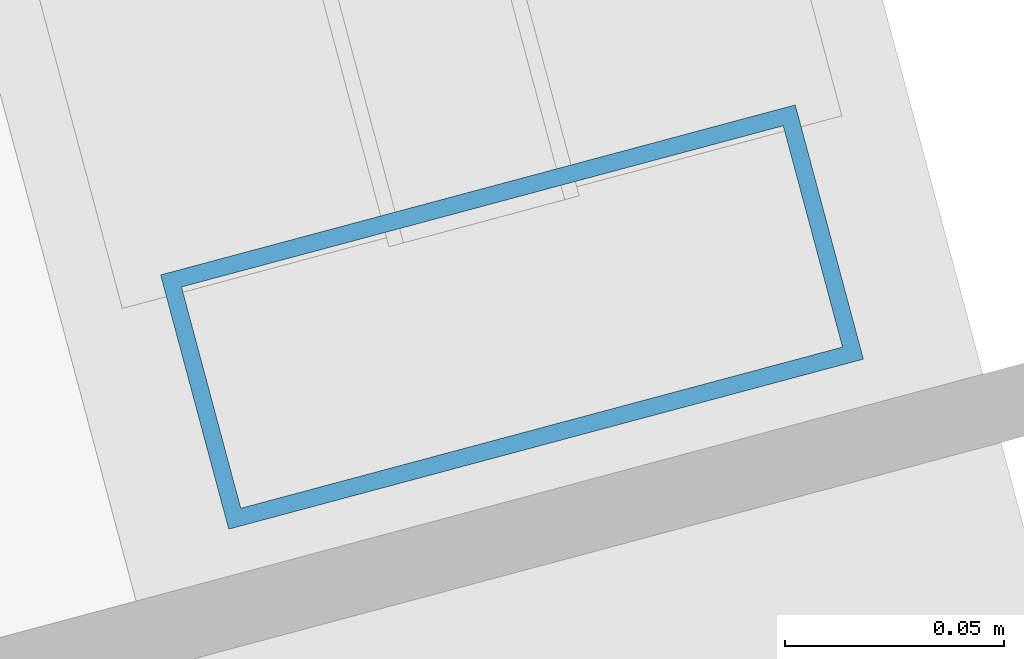
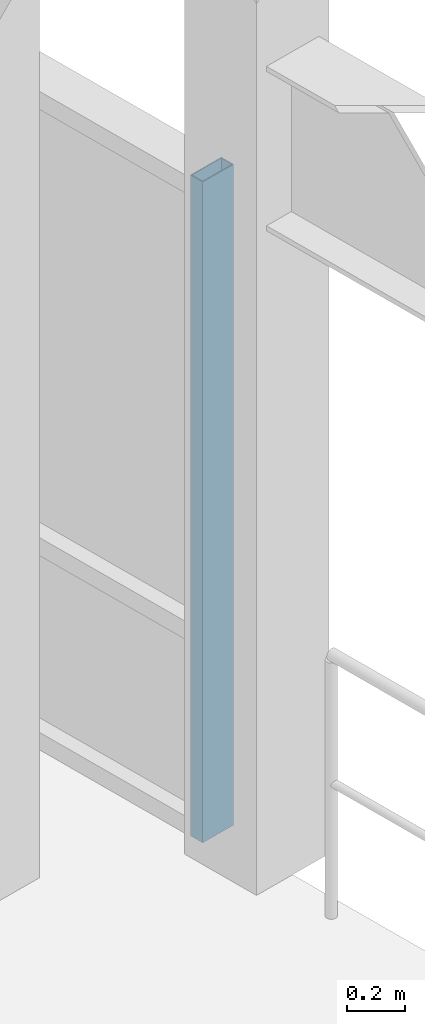
# One storey, part 47 of 99: 1 member, 1 element without a shape of its own.
"""IFC4 building model written with IfcOpenShell, lengths in metres."""

from ifc_helpers import new_model, si_unit, direction, frame, origin, origin_2d, place, context, subcontext, project, spatial, hollow_rectangle, extrude, material, layer, layer_set, material_profile, profile_set, type_object, element, aggregate, save


model = new_model("IFC4")

# Units and contexts
model_context = context("Model", 3, precision=1e-05, world=origin(), true_north=direction((0.0, 1.0)))
body_context = subcontext(model_context, "Body", "Model", "MODEL_VIEW")
ifc_project = project(units=[si_unit("LENGTHUNIT", "METRE"), si_unit("AREAUNIT", "SQUARE_METRE"), si_unit("VOLUMEUNIT", "CUBIC_METRE"), si_unit("PLANEANGLEUNIT", "RADIAN"), si_unit("MASSUNIT", "GRAM", prefix="KILO")], contexts=[model_context])

# Site, building, storey
site_placement = place(None, origin())
site = spatial("IfcSite", under=ifc_project, at=site_placement, CompositionType="ELEMENT")
building_placement = place(site_placement, origin())
building = spatial("IfcBuilding", under=site, at=building_placement, Name="Ventoquebrada Cableway Terminal", CompositionType="ELEMENT")
storey_placement = place(building_placement, frame((0.0, 0.0, 9.60009765625)))
storey = spatial("IfcBuildingStorey", under=building, at=storey_placement, Name="L02", CompositionType="ELEMENT", Elevation=9.60009765625)

# Curtain wall, member
ifc_material = material(Name="Anodized thermally-broken aluminium", Category="aluminium")
ifc_layer = layer(ifc_material, 0.159912109375)
ifc_layer_set = layer_set([ifc_layer], Name="Anodized thermally-broken aluminium")
curtain_wall_type = type_object("IfcCurtainWallType", Name="CW-T41", PredefinedType="USERDEFINED", material=ifc_layer_set)
curtain_wall_placement = place(storey_placement, origin())
curtain_wall = element("IfcCurtainWall", 1, at=curtain_wall_placement, inside=storey, type_object=curtain_wall_type, Name="Unitised glazed curtain wall CW-114", ObjectType="UNITISED CURTAIN WALL", PredefinedType="USERDEFINED")
ifc_material_profile = material_profile(ifc_material, hollow_rectangle(XDim=0.06005859375, YDim=0.14990234375, WallThickness=0.00390625, at=origin_2d()), Name="CW-MUL-60X150")
ifc_profile_set = profile_set([ifc_material_profile], Name="Anodized thermally-broken aluminium")
member_type = type_object("IfcMemberType", Name="CWM-03", PredefinedType="MULLION", material=ifc_profile_set)
member_placement = place(storey_placement, frame((81.389892578125, 99.111083984375, -0.008056640625), z_axis=(0.0, 0.0, 1.0), x_axis=(-0.258751610128, 0.965943892913, 0.0)))
member = element("IfcMember", 2, at=member_placement, type_object=member_type, Name="Curtain wall mullion FML-0552", PredefinedType="MULLION", context=body_context, shape_type="SweptSolid", body=[
    extrude(hollow_rectangle(XDim=0.06005859375, YDim=0.14990234375, WallThickness=0.00390625, at=origin_2d()), origin(), (0.0, 0.0, 1.0), 2.764892578125),
])
aggregate(curtain_wall, [member])

save(model, "model.ifc")
